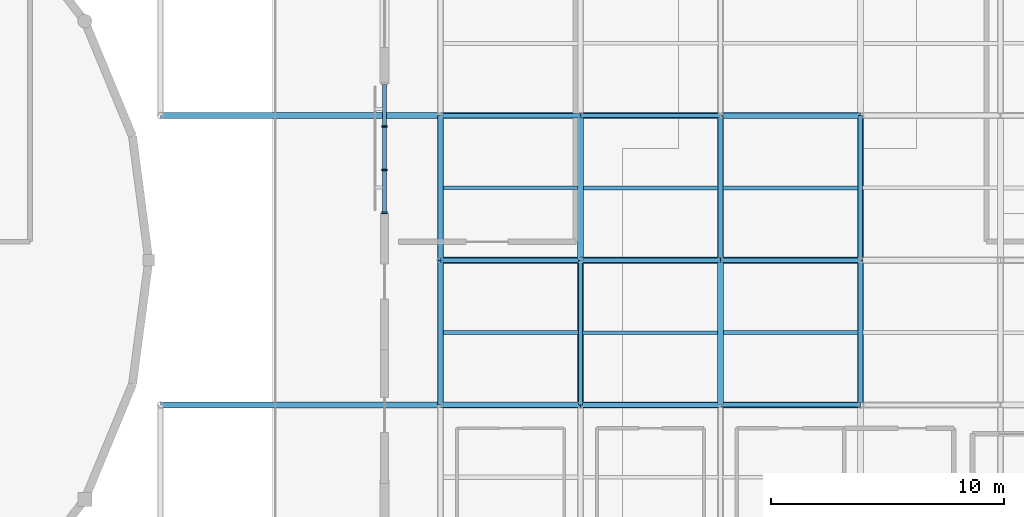
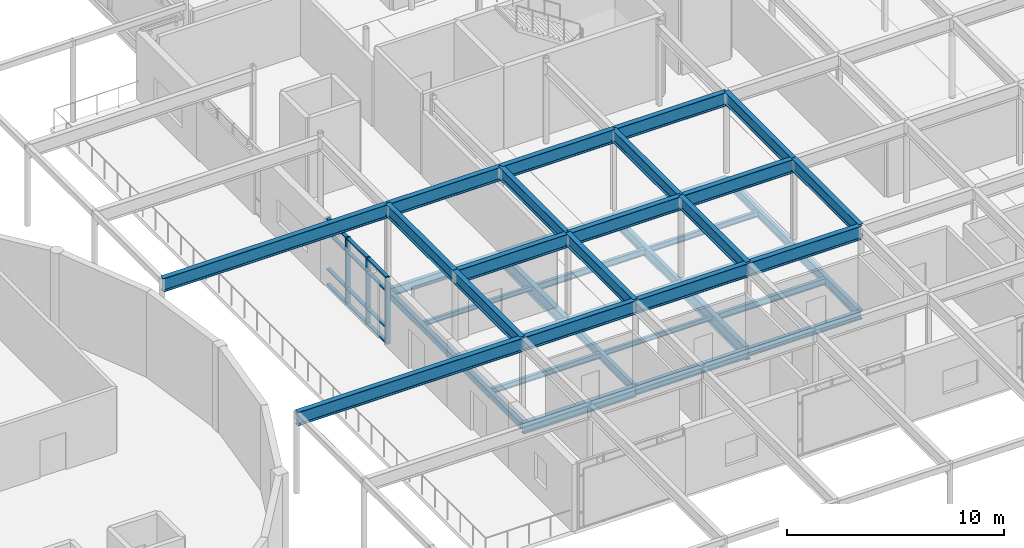
# One storey, part 23 of 48: 42 beams, 15 members, 1 element without a shape of its own.
"""IFC4 building model written with IfcOpenShell, lengths in metres."""

from ifc_helpers import new_model, si_unit, direction, frame, origin, origin_2d, place, context, subcontext, project, spatial, rectangle, hollow_rectangle, i_section, extrude, material, layer, layer_set, material_profile, profile_set, type_object, element, aggregate, save


model = new_model("IFC4")

# Units and contexts
model_context = context("Model", 3, precision=1e-05, world=origin(), true_north=direction((0.0, 1.0)))
body_context = subcontext(model_context, "Body", "Model", "MODEL_VIEW")
ifc_project = project(units=[si_unit("LENGTHUNIT", "METRE"), si_unit("AREAUNIT", "SQUARE_METRE"), si_unit("VOLUMEUNIT", "CUBIC_METRE"), si_unit("PLANEANGLEUNIT", "RADIAN"), si_unit("MASSUNIT", "GRAM", prefix="KILO")], contexts=[model_context])

# Site, building, storey
site_placement = place(None, origin())
site = spatial("IfcSite", under=ifc_project, at=site_placement, CompositionType="ELEMENT")
building_placement = place(site_placement, origin())
building = spatial("IfcBuilding", under=site, at=building_placement, Name="Mirzam Square Science Centre", CompositionType="ELEMENT")
storey_placement = place(building_placement, frame((0.0, 0.0, 20.39990234375)))
storey = spatial("IfcBuildingStorey", under=building, at=storey_placement, Name="L04", CompositionType="ELEMENT", Elevation=20.39990234375)

# Beams
ifc_material_1 = material(Name="Steel S355", Category="steel")
ifc_material_profile_1 = material_profile(ifc_material_1, i_section(OverallWidth=0.1787109375, OverallDepth=0.409423828125, WebThickness=0.0087890625, FlangeThickness=0.014404296875, FilletRadius=0.01025390625, at=origin_2d()), Name="406x178x67UB")
ifc_profile_set_1 = profile_set([ifc_material_profile_1], Name="Steel S355")
beam_type_1 = type_object("IfcBeamType", Name="BM-UB406", PredefinedType="BEAM", material=ifc_profile_set_1)
for number, where, z_axis, x_axis, name in (
    (1, (126.0, 62.0, -0.45458984375), (1.0, 0.0, 0.0), (0.0, 1.0, 0.0), "L04 girder X22-11"),
    (2, (120.0, 68.199951171875, -0.45458984375), (1.0, 0.0, 0.0), (0.0, 1.0, 0.0), "L04 girder X21-12"),
):
    element("IfcBeam", number, at=place(storey_placement, frame(where, z_axis=z_axis, x_axis=x_axis)), inside=storey, type_object=beam_type_1, Name=name, PredefinedType="BEAM", context=body_context, shape_type="SweptSolid", body=[
        extrude(i_section(OverallWidth=0.1787109375, OverallDepth=0.409423828125, WebThickness=0.0087890625, FlangeThickness=0.014404296875, FilletRadius=0.01025390625, at=origin_2d()), origin(), (0.0, 0.0, 1.0), 6.0),
    ])
ifc_material_profile_2 = material_profile(ifc_material_1, i_section(OverallWidth=0.19140625, OverallDepth=0.4599609375, WebThickness=0.010009765625, FlangeThickness=0.01611328125, FilletRadius=0.01025390625, at=origin_2d()), Name="457x191x82UB")
ifc_profile_set_2 = profile_set([ifc_material_profile_2], Name="Steel S355")
beam_type_2 = type_object("IfcBeamType", Name="BM-UB457", PredefinedType="BEAM", material=ifc_profile_set_2)
for number, where, z_axis, x_axis, name in (
    (3, (126.0, 55.800048828125, -0.47998046875), (1.0, 0.0, 0.0), (0.0, 1.0, 0.0), "L04 girder X22-10"),
    (4, (120.0, 62.0, -0.47998046875), (1.0, 0.0, 0.0), (0.0, 1.0, 0.0), "L04 girder X21-11"),
    (5, (114.0, 68.199951171875, -0.47998046875), (1.0, 0.0, 0.0), (0.0, 1.0, 0.0), "L04 girder X20-12"),
):
    element("IfcBeam", number, at=place(storey_placement, frame(where, z_axis=z_axis, x_axis=x_axis)), inside=storey, type_object=beam_type_2, Name=name, PredefinedType="BEAM", context=body_context, shape_type="SweptSolid", body=[
        extrude(i_section(OverallWidth=0.19140625, OverallDepth=0.4599609375, WebThickness=0.010009765625, FlangeThickness=0.01611328125, FilletRadius=0.01025390625, at=origin_2d()), origin(), (0.0, 0.0, 1.0), 6.0),
    ])
for number, where, z_axis, x_axis, name in (
    (6, (120.0, 55.800048828125, -0.47998046875), (0.0, 1.0, 0.0), (-1.0, 0.0, 0.0), "L04 girder Y21-10"),
    (7, (132.0, 62.0, -0.47998046875), (0.0, 1.0, 0.0), (-1.0, 0.0, 0.0), "L04 girder Y23-11"),
):
    element("IfcBeam", number, at=place(storey_placement, frame(where, z_axis=z_axis, x_axis=x_axis)), inside=storey, type_object=beam_type_2, Name=name, PredefinedType="BEAM", context=body_context, shape_type="SweptSolid", body=[
        extrude(i_section(OverallWidth=0.19140625, OverallDepth=0.4599609375, WebThickness=0.010009765625, FlangeThickness=0.01611328125, FilletRadius=0.01025390625, at=origin_2d()), origin(), (0.0, 0.0, 1.0), 6.199951171875),
    ])
ifc_material_profile_3 = material_profile(ifc_material_1, i_section(OverallWidth=0.2099609375, OverallDepth=0.53662109375, WebThickness=0.0107421875, FlangeThickness=0.017333984375, FilletRadius=0.0126953125, at=origin_2d()), Name="533x210x101UB")
ifc_profile_set_3 = profile_set([ifc_material_profile_3], Name="Steel S355")
beam_type_3 = type_object("IfcBeamType", Name="BM-UB533", PredefinedType="BEAM", material=ifc_profile_set_3)
for number, where, z_axis, x_axis, name in (
    (8, (120.0, 55.800048828125, -0.518310546875), (1.0, 0.0, 0.0), (0.0, 1.0, 0.0), "L04 girder X21-10"),
    (9, (114.0, 62.0, -0.518310546875), (1.0, 0.0, 0.0), (0.0, 1.0, 0.0), "L04 girder X20-11"),
):
    element("IfcBeam", number, at=place(storey_placement, frame(where, z_axis=z_axis, x_axis=x_axis)), inside=storey, type_object=beam_type_3, Name=name, PredefinedType="BEAM", context=body_context, shape_type="SweptSolid", body=[
        extrude(i_section(OverallWidth=0.2099609375, OverallDepth=0.53662109375, WebThickness=0.0107421875, FlangeThickness=0.017333984375, FilletRadius=0.0126953125, at=origin_2d()), origin(), (0.0, 0.0, 1.0), 6.0),
    ])
for number, where, z_axis, x_axis, name in (
    (10, (126.0, 62.0, -0.518310546875), (0.0, 1.0, 0.0), (-1.0, 0.0, 0.0), "L04 girder Y22-11"),
    (11, (132.0, 55.800048828125, -0.518310546875), (0.0, 1.0, 0.0), (-1.0, 0.0, 0.0), "L04 girder Y23-10"),
):
    element("IfcBeam", number, at=place(storey_placement, frame(where, z_axis=z_axis, x_axis=x_axis)), inside=storey, type_object=beam_type_3, Name=name, PredefinedType="BEAM", context=body_context, shape_type="SweptSolid", body=[
        extrude(i_section(OverallWidth=0.2099609375, OverallDepth=0.53662109375, WebThickness=0.0107421875, FlangeThickness=0.017333984375, FilletRadius=0.0126953125, at=origin_2d()), origin(), (0.0, 0.0, 1.0), 6.199951171875),
    ])
ifc_material_profile_4 = material_profile(ifc_material_1, i_section(OverallWidth=0.22900390625, OverallDepth=0.6123046875, WebThickness=0.011962890625, FlangeThickness=0.01953125, FilletRadius=0.0126953125, at=origin_2d()), Name="610x229x125UB")
ifc_profile_set_4 = profile_set([ifc_material_profile_4], Name="Steel S355")
beam_type_4 = type_object("IfcBeamType", Name="BM-UB610", PredefinedType="BEAM", material=ifc_profile_set_4)
for number, where, z_axis, x_axis, name in (
    (12, (114.0, 55.800048828125, -0.555908203125), (1.0, 0.0, 0.0), (0.0, 1.0, 0.0), "L04 girder X20-10"),
    (13, (126.0, 68.199951171875, -0.555908203125), (1.0, 0.0, 0.0), (0.0, 1.0, 0.0), "L04 girder X22-12"),
):
    element("IfcBeam", number, at=place(storey_placement, frame(where, z_axis=z_axis, x_axis=x_axis)), inside=storey, type_object=beam_type_4, Name=name, PredefinedType="BEAM", context=body_context, shape_type="SweptSolid", body=[
        extrude(i_section(OverallWidth=0.22900390625, OverallDepth=0.6123046875, WebThickness=0.011962890625, FlangeThickness=0.01953125, FilletRadius=0.0126953125, at=origin_2d()), origin(), (0.0, 0.0, 1.0), 6.0),
    ])
ifc_material_profile_5 = material_profile(ifc_material_1, i_section(OverallWidth=0.25439453125, OverallDepth=0.6875, WebThickness=0.01318359375, FlangeThickness=0.02099609375, FilletRadius=0.01513671875, at=origin_2d()), Name="686x254x152UB")
ifc_profile_set_5 = profile_set([ifc_material_profile_5], Name="Steel S355")
beam_type_5 = type_object("IfcBeamType", Name="BM-UB686", PredefinedType="BEAM", material=ifc_profile_set_5)
for number, where, z_axis, x_axis, name in (
    (14, (120.0, 62.0, -0.59375), (0.0, 1.0, 0.0), (-1.0, 0.0, 0.0), "L04 girder Y21-11"),
    (15, (126.0, 55.800048828125, -0.59375), (0.0, 1.0, 0.0), (-1.0, 0.0, 0.0), "L04 girder Y22-10"),
    (16, (114.0, 55.800048828125, 4.226318359375), (0.0, 1.0, 0.0), (-1.0, 0.0, 0.0), "Parasol roof girder X20 Y10-11"),
    (17, (114.0, 62.0, 4.226318359375), (0.0, 1.0, 0.0), (-1.0, 0.0, 0.0), "Parasol roof girder X20 Y11-12"),
    (18, (120.0, 55.800048828125, 4.226318359375), (0.0, 1.0, 0.0), (-1.0, 0.0, 0.0), "Parasol roof girder X21 Y10-11"),
    (19, (120.0, 62.0, 4.226318359375), (0.0, 1.0, 0.0), (-1.0, 0.0, 0.0), "Parasol roof girder X21 Y11-12"),
    (20, (126.0, 55.800048828125, 4.226318359375), (0.0, 1.0, 0.0), (-1.0, 0.0, 0.0), "Parasol roof girder X22 Y10-11"),
    (21, (126.0, 62.0, 4.226318359375), (0.0, 1.0, 0.0), (-1.0, 0.0, 0.0), "Parasol roof girder X22 Y11-12"),
    (22, (132.0, 55.800048828125, 4.226318359375), (0.0, 1.0, 0.0), (-1.0, 0.0, 0.0), "Parasol roof girder X23 Y10-11"),
    (23, (132.0, 62.0, 4.226318359375), (0.0, 1.0, 0.0), (-1.0, 0.0, 0.0), "Parasol roof girder X23 Y11-12"),
):
    element("IfcBeam", number, at=place(storey_placement, frame(where, z_axis=z_axis, x_axis=x_axis)), inside=storey, type_object=beam_type_5, Name=name, PredefinedType="BEAM", context=body_context, shape_type="SweptSolid", body=[
        extrude(i_section(OverallWidth=0.25439453125, OverallDepth=0.6875, WebThickness=0.01318359375, FlangeThickness=0.02099609375, FilletRadius=0.01513671875, at=origin_2d()), origin(), (0.0, 0.0, 1.0), 6.199951171875),
    ])
ifc_material_profile_6 = material_profile(ifc_material_1, i_section(OverallWidth=0.2666015625, OverallDepth=0.76220703125, WebThickness=0.014404296875, FlangeThickness=0.021484375, FilletRadius=0.0166015625, at=origin_2d()), Name="762x267x173UB")
ifc_profile_set_6 = profile_set([ifc_material_profile_6], Name="Steel S355")
beam_type_6 = type_object("IfcBeamType", Name="BM-UB762", PredefinedType="BEAM", material=ifc_profile_set_6)
beam_1_placement = place(storey_placement, frame((102.0, 55.800048828125, 4.18896484375), z_axis=(1.0, 0.0, 0.0), x_axis=(0.0, 1.0, 0.0)))
element("IfcBeam", 24, at=beam_1_placement, inside=storey, type_object=beam_type_6, Name="Parasol roof girder Y10 X18-20", PredefinedType="BEAM", context=body_context, shape_type="SweptSolid", body=[
    extrude(i_section(OverallWidth=0.2666015625, OverallDepth=0.76220703125, WebThickness=0.014404296875, FlangeThickness=0.021484375, FilletRadius=0.0166015625, at=origin_2d()), origin(), (0.0, 0.0, 1.0), 12.0),
])
for number, where, z_axis, x_axis, name in (
    (25, (114.0, 55.800048828125, 4.18896484375), (1.0, 0.0, 0.0), (0.0, 1.0, 0.0), "Parasol roof girder Y10 X20-21"),
    (26, (120.0, 55.800048828125, 4.18896484375), (1.0, 0.0, 0.0), (0.0, 1.0, 0.0), "Parasol roof girder Y10 X21-22"),
    (27, (126.0, 55.800048828125, 4.18896484375), (1.0, 0.0, 0.0), (0.0, 1.0, 0.0), "Parasol roof girder Y10 X22-23"),
    (28, (114.0, 62.0, 4.18896484375), (1.0, 0.0, 0.0), (0.0, 1.0, 0.0), "Parasol roof girder Y11 X20-21"),
    (29, (120.0, 62.0, 4.18896484375), (1.0, 0.0, 0.0), (0.0, 1.0, 0.0), "Parasol roof girder Y11 X21-22"),
    (30, (126.0, 62.0, 4.18896484375), (1.0, 0.0, 0.0), (0.0, 1.0, 0.0), "Parasol roof girder Y11 X22-23"),
):
    element("IfcBeam", number, at=place(storey_placement, frame(where, z_axis=z_axis, x_axis=x_axis)), inside=storey, type_object=beam_type_6, Name=name, PredefinedType="BEAM", context=body_context, shape_type="SweptSolid", body=[
        extrude(i_section(OverallWidth=0.2666015625, OverallDepth=0.76220703125, WebThickness=0.014404296875, FlangeThickness=0.021484375, FilletRadius=0.0166015625, at=origin_2d()), origin(), (0.0, 0.0, 1.0), 6.0),
    ])
beam_2_placement = place(storey_placement, frame((102.0, 68.199951171875, 4.18896484375), z_axis=(1.0, 0.0, 0.0), x_axis=(0.0, 1.0, 0.0)))
element("IfcBeam", 31, at=beam_2_placement, inside=storey, type_object=beam_type_6, Name="Parasol roof girder Y12 X18-20", PredefinedType="BEAM", context=body_context, shape_type="SweptSolid", body=[
    extrude(i_section(OverallWidth=0.2666015625, OverallDepth=0.76220703125, WebThickness=0.014404296875, FlangeThickness=0.021484375, FilletRadius=0.0166015625, at=origin_2d()), origin(), (0.0, 0.0, 1.0), 12.0),
])
for number, where, z_axis, x_axis, name in (
    (32, (114.0, 68.199951171875, 4.18896484375), (1.0, 0.0, 0.0), (0.0, 1.0, 0.0), "Parasol roof girder Y12 X20-21"),
    (33, (120.0, 68.199951171875, 4.18896484375), (1.0, 0.0, 0.0), (0.0, 1.0, 0.0), "Parasol roof girder Y12 X21-22"),
    (34, (126.0, 68.199951171875, 4.18896484375), (1.0, 0.0, 0.0), (0.0, 1.0, 0.0), "Parasol roof girder Y12 X22-23"),
):
    element("IfcBeam", number, at=place(storey_placement, frame(where, z_axis=z_axis, x_axis=x_axis)), inside=storey, type_object=beam_type_6, Name=name, PredefinedType="BEAM", context=body_context, shape_type="SweptSolid", body=[
        extrude(i_section(OverallWidth=0.2666015625, OverallDepth=0.76220703125, WebThickness=0.014404296875, FlangeThickness=0.021484375, FilletRadius=0.0166015625, at=origin_2d()), origin(), (0.0, 0.0, 1.0), 6.0),
    ])

# Curtain wall, members
ifc_material_2 = material(Name="Anodised Aluminium and Low-E Solar Glass", Category="aluminium")
ifc_layer = layer(ifc_material_2, 0.239990234375)
ifc_layer_set = layer_set([ifc_layer], Name="CW-EAST-B")
curtain_wall_type = type_object("IfcCurtainWallType", Name="CW-EAST-B", PredefinedType="USERDEFINED", material=ifc_layer_set)
curtain_wall_placement = place(storey_placement, origin())
curtain_wall = element("IfcCurtainWall", 35, at=curtain_wall_placement, inside=storey, type_object=curtain_wall_type, Name="L04 unitised curtain wall 155", ObjectType="UNITISED CURTAIN WALL", PredefinedType="USERDEFINED")
ifc_material_3 = material(Name="Anodised Architectural Aluminium 6063-T6", Category="aluminium")
ifc_material_profile_7 = material_profile(ifc_material_3, rectangle(XDim=0.074951171875, YDim=0.239990234375, at=origin_2d()), Name="ALU-MULL-240x75x5")
ifc_profile_set_7 = profile_set([ifc_material_profile_7], Name="Anodised Architectural Aluminium 6063-T6")
member_type_1 = type_object("IfcMemberType", Name="CWM-240", PredefinedType="MULLION", material=ifc_profile_set_7)
member_1_placement = place(storey_placement, frame((111.60009765625, 67.734130859375, 0.0), z_axis=(0.0, 0.0, 1.0), x_axis=(0.0, -1.0, 0.0)))
member_1 = element("IfcMember", 36, at=member_1_placement, type_object=member_type_1, Name="CW-06 mullion 2", PredefinedType="MULLION", context=body_context, shape_type="SweptSolid", body=[
    extrude(rectangle(XDim=0.074951171875, YDim=0.239990234375, at=origin_2d()), origin(), (0.0, 0.0, 1.0), 3.760009765625),
])
member_2_placement = place(storey_placement, frame((111.60009765625, 65.865966796875, 0.0), z_axis=(0.0, 0.0, 1.0), x_axis=(0.0, -1.0, 0.0)))
member_2 = element("IfcMember", 37, at=member_2_placement, type_object=member_type_1, Name="CW-06 mullion 3", PredefinedType="MULLION", context=body_context, shape_type="SweptSolid", body=[
    extrude(rectangle(XDim=0.074951171875, YDim=0.239990234375, at=origin_2d()), origin(), (0.0, 0.0, 1.0), 3.760009765625),
])
member_3_placement = place(storey_placement, frame((111.60009765625, 64.035400390625, 0.0), z_axis=(0.0, 0.0, 1.0), x_axis=(0.0, -1.0, 0.0)))
member_3 = element("IfcMember", 38, at=member_3_placement, type_object=member_type_1, Name="CW-06 mullion 4", PredefinedType="MULLION", context=body_context, shape_type="SweptSolid", body=[
    extrude(rectangle(XDim=0.074951171875, YDim=0.239990234375, at=origin_2d()), origin(), (0.0, 0.0, 1.0), 3.760009765625),
])
ifc_material_profile_8 = material_profile(ifc_material_3, rectangle(XDim=0.179931640625, YDim=0.074951171875, at=origin_2d()), Name="ALU-TRAN-180x75x5")
ifc_profile_set_8 = profile_set([ifc_material_profile_8], Name="Anodised Architectural Aluminium 6063-T6")
member_type_2 = type_object("IfcMemberType", Name="CWT-180", PredefinedType="USERDEFINED", material=ifc_profile_set_8)
member_4_placement = place(storey_placement, frame((111.60009765625, 69.527099609375, 0.03759765625), z_axis=(0.0, -1.0, 0.0), x_axis=(1.0, 0.0, 0.0)))
member_4 = element("IfcMember", 39, at=member_4_placement, type_object=member_type_2, Name="CW-06 transom 1.1", ObjectType="TRANSOM", PredefinedType="USERDEFINED", context=body_context, shape_type="SweptSolid", body=[
    extrude(rectangle(XDim=0.179931640625, YDim=0.074951171875, at=origin_2d()), origin(), (0.0, 0.0, 1.0), 1.755615234375),
])
member_5_placement = place(storey_placement, frame((111.60009765625, 69.527099609375, 0.900146484375), z_axis=(0.0, -1.0, 0.0), x_axis=(1.0, 0.0, 0.0)))
member_5 = element("IfcMember", 40, at=member_5_placement, type_object=member_type_2, Name="CW-06 transom 1.2", ObjectType="TRANSOM", PredefinedType="USERDEFINED", context=body_context, shape_type="SweptSolid", body=[
    extrude(rectangle(XDim=0.179931640625, YDim=0.074951171875, at=origin_2d()), origin(), (0.0, 0.0, 1.0), 1.755615234375),
])
member_6_placement = place(storey_placement, frame((111.60009765625, 69.527099609375, 2.960205078125), z_axis=(0.0, -1.0, 0.0), x_axis=(1.0, 0.0, 0.0)))
member_6 = element("IfcMember", 41, at=member_6_placement, type_object=member_type_2, Name="CW-06 transom 1.3", ObjectType="TRANSOM", PredefinedType="USERDEFINED", context=body_context, shape_type="SweptSolid", body=[
    extrude(rectangle(XDim=0.179931640625, YDim=0.074951171875, at=origin_2d()), origin(), (0.0, 0.0, 1.0), 1.755615234375),
])
member_7_placement = place(storey_placement, frame((111.60009765625, 69.527099609375, 3.72265625), z_axis=(0.0, -1.0, 0.0), x_axis=(1.0, 0.0, 0.0)))
member_7 = element("IfcMember", 42, at=member_7_placement, type_object=member_type_2, Name="CW-06 transom 1.4", ObjectType="TRANSOM", PredefinedType="USERDEFINED", context=body_context, shape_type="SweptSolid", body=[
    extrude(rectangle(XDim=0.179931640625, YDim=0.074951171875, at=origin_2d()), origin(), (0.0, 0.0, 1.0), 1.755615234375),
])
member_8_placement = place(storey_placement, frame((111.60009765625, 67.696533203125, 0.03759765625), z_axis=(0.0, -1.0, 0.0), x_axis=(1.0, 0.0, 0.0)))
member_8 = element("IfcMember", 43, at=member_8_placement, type_object=member_type_2, Name="CW-06 transom 2.1", ObjectType="TRANSOM", PredefinedType="USERDEFINED", context=body_context, shape_type="SweptSolid", body=[
    extrude(rectangle(XDim=0.179931640625, YDim=0.074951171875, at=origin_2d()), origin(), (0.0, 0.0, 1.0), 1.79296875),
])
member_9_placement = place(storey_placement, frame((111.60009765625, 67.696533203125, 0.900146484375), z_axis=(0.0, -1.0, 0.0), x_axis=(1.0, 0.0, 0.0)))
member_9 = element("IfcMember", 44, at=member_9_placement, type_object=member_type_2, Name="CW-06 transom 2.2", ObjectType="TRANSOM", PredefinedType="USERDEFINED", context=body_context, shape_type="SweptSolid", body=[
    extrude(rectangle(XDim=0.179931640625, YDim=0.074951171875, at=origin_2d()), origin(), (0.0, 0.0, 1.0), 1.79296875),
])
member_10_placement = place(storey_placement, frame((111.60009765625, 67.696533203125, 2.960205078125), z_axis=(0.0, -1.0, 0.0), x_axis=(1.0, 0.0, 0.0)))
member_10 = element("IfcMember", 45, at=member_10_placement, type_object=member_type_2, Name="CW-06 transom 2.3", ObjectType="TRANSOM", PredefinedType="USERDEFINED", context=body_context, shape_type="SweptSolid", body=[
    extrude(rectangle(XDim=0.179931640625, YDim=0.074951171875, at=origin_2d()), origin(), (0.0, 0.0, 1.0), 1.79296875),
])
member_11_placement = place(storey_placement, frame((111.60009765625, 67.696533203125, 3.72265625), z_axis=(0.0, -1.0, 0.0), x_axis=(1.0, 0.0, 0.0)))
member_11 = element("IfcMember", 46, at=member_11_placement, type_object=member_type_2, Name="CW-06 transom 2.4", ObjectType="TRANSOM", PredefinedType="USERDEFINED", context=body_context, shape_type="SweptSolid", body=[
    extrude(rectangle(XDim=0.179931640625, YDim=0.074951171875, at=origin_2d()), origin(), (0.0, 0.0, 1.0), 1.79296875),
])
member_12_placement = place(storey_placement, frame((111.60009765625, 65.828369140625, 0.03759765625), z_axis=(0.0, -1.0, 0.0), x_axis=(1.0, 0.0, 0.0)))
member_12 = element("IfcMember", 47, at=member_12_placement, type_object=member_type_2, Name="CW-06 transom 3.1", ObjectType="TRANSOM", PredefinedType="USERDEFINED", context=body_context, shape_type="SweptSolid", body=[
    extrude(rectangle(XDim=0.179931640625, YDim=0.074951171875, at=origin_2d()), origin(), (0.0, 0.0, 1.0), 1.75537109375),
])
member_13_placement = place(storey_placement, frame((111.60009765625, 65.828369140625, 0.900146484375), z_axis=(0.0, -1.0, 0.0), x_axis=(1.0, 0.0, 0.0)))
member_13 = element("IfcMember", 48, at=member_13_placement, type_object=member_type_2, Name="CW-06 transom 3.2", ObjectType="TRANSOM", PredefinedType="USERDEFINED", context=body_context, shape_type="SweptSolid", body=[
    extrude(rectangle(XDim=0.179931640625, YDim=0.074951171875, at=origin_2d()), origin(), (0.0, 0.0, 1.0), 1.75537109375),
])
member_14_placement = place(storey_placement, frame((111.60009765625, 65.828369140625, 2.960205078125), z_axis=(0.0, -1.0, 0.0), x_axis=(1.0, 0.0, 0.0)))
member_14 = element("IfcMember", 49, at=member_14_placement, type_object=member_type_2, Name="CW-06 transom 3.3", ObjectType="TRANSOM", PredefinedType="USERDEFINED", context=body_context, shape_type="SweptSolid", body=[
    extrude(rectangle(XDim=0.179931640625, YDim=0.074951171875, at=origin_2d()), origin(), (0.0, 0.0, 1.0), 1.75537109375),
])
member_15_placement = place(storey_placement, frame((111.60009765625, 65.828369140625, 3.72265625), z_axis=(0.0, -1.0, 0.0), x_axis=(1.0, 0.0, 0.0)))
member_15 = element("IfcMember", 50, at=member_15_placement, type_object=member_type_2, Name="CW-06 transom 3.4", ObjectType="TRANSOM", PredefinedType="USERDEFINED", context=body_context, shape_type="SweptSolid", body=[
    extrude(rectangle(XDim=0.179931640625, YDim=0.074951171875, at=origin_2d()), origin(), (0.0, 0.0, 1.0), 1.75537109375),
])
aggregate(curtain_wall, [member_1, member_2, member_3, member_4, member_5, member_6, member_7, member_8, member_9, member_10, member_11, member_12, member_13, member_14, member_15])

# Beams
ifc_material_profile_9 = material_profile(ifc_material_1, i_section(OverallWidth=0.146484375, OverallDepth=0.256103515625, WebThickness=0.00634765625, FlangeThickness=0.010986328125, FilletRadius=0.007568359375, at=origin_2d()), Name="254x146x37UB")
ifc_profile_set_9 = profile_set([ifc_material_profile_9], Name="Steel S355")
beam_type_7 = type_object("IfcBeamType", Name="JS-UB254", PredefinedType="JOIST", material=ifc_profile_set_9)
beam_3_placement = place(storey_placement, frame((114.125, 65.10009765625, -0.3779296875), z_axis=(1.0, 0.0, 0.0), x_axis=(0.0, 1.0, 0.0)))
element("IfcBeam", 51, at=beam_3_placement, inside=storey, type_object=beam_type_7, Name="L04 composite joist 20-11", PredefinedType="JOIST", context=body_context, shape_type="SweptSolid", body=[
    extrude(i_section(OverallWidth=0.146484375, OverallDepth=0.256103515625, WebThickness=0.00634765625, FlangeThickness=0.010986328125, FilletRadius=0.007568359375, at=origin_2d()), origin(), (0.0, 0.0, 1.0), 5.747802734375),
])
beam_4_placement = place(storey_placement, frame((120.095703125, 58.89990234375, -0.3779296875), z_axis=(1.0, 0.0, 0.0), x_axis=(0.0, 1.0, 0.0)))
element("IfcBeam", 52, at=beam_4_placement, inside=storey, type_object=beam_type_7, Name="L04 composite joist 21-10", PredefinedType="JOIST", context=body_context, shape_type="SweptSolid", body=[
    extrude(i_section(OverallWidth=0.146484375, OverallDepth=0.256103515625, WebThickness=0.00634765625, FlangeThickness=0.010986328125, FilletRadius=0.007568359375, at=origin_2d()), origin(), (0.0, 0.0, 1.0), 5.777099609375),
])
ifc_material_profile_10 = material_profile(ifc_material_1, i_section(OverallWidth=0.165771484375, OverallDepth=0.306640625, WebThickness=0.006591796875, FlangeThickness=0.01171875, FilletRadius=0.0087890625, at=origin_2d()), Name="305x165x46UB")
ifc_profile_set_10 = profile_set([ifc_material_profile_10], Name="Steel S355")
beam_type_8 = type_object("IfcBeamType", Name="JS-UB305", PredefinedType="JOIST", material=ifc_profile_set_10)
beam_5_placement = place(storey_placement, frame((114.125, 58.89990234375, -0.4033203125), z_axis=(1.0, 0.0, 0.0), x_axis=(0.0, 1.0, 0.0)))
element("IfcBeam", 53, at=beam_5_placement, inside=storey, type_object=beam_type_8, Name="L04 composite joist 20-10", PredefinedType="JOIST", context=body_context, shape_type="SweptSolid", body=[
    extrude(i_section(OverallWidth=0.165771484375, OverallDepth=0.306640625, WebThickness=0.006591796875, FlangeThickness=0.01171875, FilletRadius=0.0087890625, at=origin_2d()), origin(), (0.0, 0.0, 1.0), 5.779296875),
])
beam_6_placement = place(storey_placement, frame((126.10498046875, 65.10009765625, -0.4033203125), z_axis=(1.0, 0.0, 0.0), x_axis=(0.0, 1.0, 0.0)))
element("IfcBeam", 54, at=beam_6_placement, inside=storey, type_object=beam_type_8, Name="L04 composite joist 22-11", PredefinedType="JOIST", context=body_context, shape_type="SweptSolid", body=[
    extrude(i_section(OverallWidth=0.165771484375, OverallDepth=0.306640625, WebThickness=0.006591796875, FlangeThickness=0.01171875, FilletRadius=0.0087890625, at=origin_2d()), origin(), (0.0, 0.0, 1.0), 5.79931640625),
])
ifc_material_profile_11 = material_profile(ifc_material_1, i_section(OverallWidth=0.172119140625, OverallDepth=0.35791015625, WebThickness=0.008056640625, FlangeThickness=0.012939453125, FilletRadius=0.01025390625, at=origin_2d()), Name="356x171x57UB")
ifc_profile_set_11 = profile_set([ifc_material_profile_11], Name="Steel S355")
beam_type_9 = type_object("IfcBeamType", Name="JS-UB356", PredefinedType="JOIST", material=ifc_profile_set_11)
for number, where, z_axis, x_axis, name in (
    (55, (120.127197265625, 65.10009765625, -0.428955078125), (1.0, 0.0, 0.0), (0.0, 1.0, 0.0), "L04 composite joist 21-11"),
    (56, (126.127197265625, 58.89990234375, -0.428955078125), (1.0, 0.0, 0.0), (0.0, 1.0, 0.0), "L04 composite joist 22-10"),
):
    element("IfcBeam", number, at=place(storey_placement, frame(where, z_axis=z_axis, x_axis=x_axis)), inside=storey, type_object=beam_type_9, Name=name, PredefinedType="JOIST", context=body_context, shape_type="SweptSolid", body=[
        extrude(i_section(OverallWidth=0.172119140625, OverallDepth=0.35791015625, WebThickness=0.008056640625, FlangeThickness=0.012939453125, FilletRadius=0.01025390625, at=origin_2d()), origin(), (0.0, 0.0, 1.0), 5.767822265625),
    ])
ifc_material_profile_12 = material_profile(ifc_material_1, hollow_rectangle(XDim=0.25, YDim=0.35009765625, WallThickness=0.012451171875, InnerFilletRadius=0.012451171875, OuterFilletRadius=0.02490234375, at=origin_2d()), Name="350x250x12.5RHS")
ifc_profile_set_12 = profile_set([ifc_material_profile_12], Name="Steel S355")
beam_type_10 = type_object("IfcBeamType", Name="SP-RHS350", PredefinedType="SPANDREL", material=ifc_profile_set_12)
for number, where, z_axis, x_axis, name in (
    (57, (114.0, 55.800048828125, -0.4248046875), (0.0, 1.0, 0.0), (-1.0, 0.0, 0.0), "L04 girder Y20-10"),
    (58, (114.0, 62.0, -0.4248046875), (0.0, 1.0, 0.0), (-1.0, 0.0, 0.0), "L04 girder Y20-11"),
):
    element("IfcBeam", number, at=place(storey_placement, frame(where, z_axis=z_axis, x_axis=x_axis)), inside=storey, type_object=beam_type_10, Name=name, PredefinedType="SPANDREL", context=body_context, shape_type="SweptSolid", body=[
        extrude(hollow_rectangle(XDim=0.25, YDim=0.35009765625, WallThickness=0.012451171875, InnerFilletRadius=0.012451171875, OuterFilletRadius=0.02490234375, at=origin_2d()), origin(), (0.0, 0.0, 1.0), 6.199951171875),
    ])

save(model, "model.ifc")
